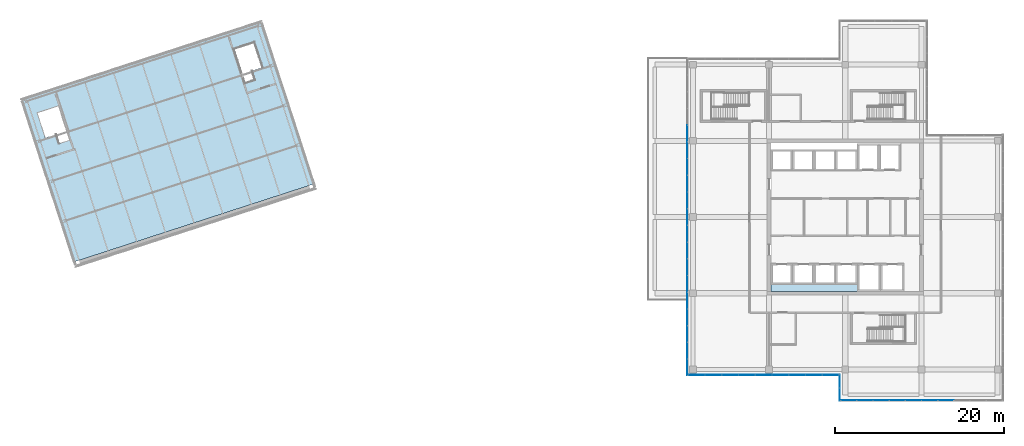
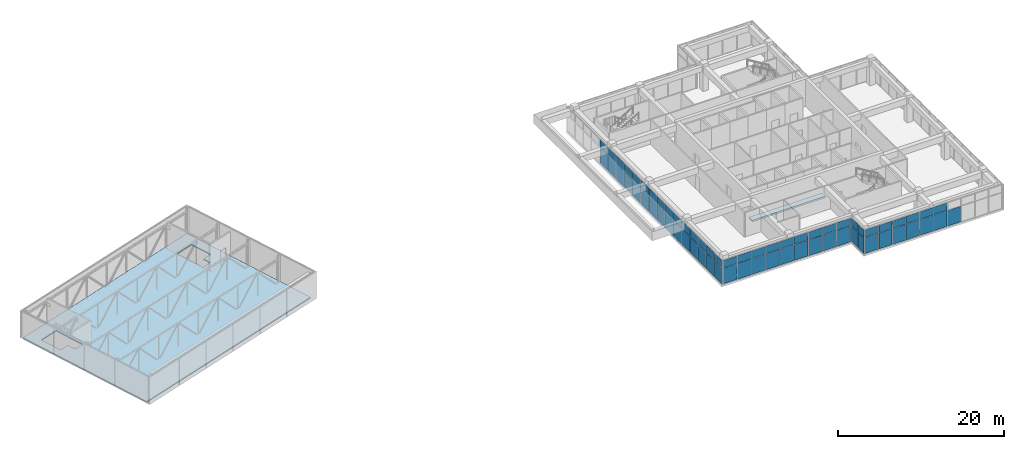
# One storey, part 39 of 52: 65 plates, 2 slabs, 4 elements without a shape of their own.
"""IFC4 building model written with IfcOpenShell, lengths in metres."""

from ifc_helpers import new_model, si_unit, direction, frame, origin, origin_2d, place, context, subcontext, project, spatial, polyline, rectangle, outline, extrude, material, layer, layer_set, type_object, element, aggregate, save


model = new_model("IFC4")

# Units and contexts
model_context = context("Model", 3, precision=1e-05, world=origin(), true_north=direction((0.0, 1.0)))
body_context = subcontext(model_context, "Body", "Model", "MODEL_VIEW")
ifc_project = project(units=[si_unit("LENGTHUNIT", "METRE"), si_unit("AREAUNIT", "SQUARE_METRE"), si_unit("VOLUMEUNIT", "CUBIC_METRE"), si_unit("PLANEANGLEUNIT", "RADIAN"), si_unit("MASSUNIT", "GRAM", prefix="KILO")], contexts=[model_context])

# Site, building, storey
site_placement = place(None, origin())
site = spatial("IfcSite", under=ifc_project, at=site_placement, CompositionType="ELEMENT")
building_placement = place(site_placement, origin())
building = spatial("IfcBuilding", under=site, at=building_placement, Name="Tuart Plaza Theatre", CompositionType="ELEMENT")
storey_placement = place(building_placement, frame((0.0, 0.0, 25.5)))
storey = spatial("IfcBuildingStorey", under=building, at=storey_placement, Name="L06", CompositionType="ELEMENT", Elevation=25.5)

# Curtain wall, plates
ifc_material_1 = material(Name="Aluminium and glass", Category="aluminium")
ifc_layer_1 = layer(ifc_material_1, 0.10009765625)
ifc_layer_set_1 = layer_set([ifc_layer_1], Name="CURTAIN WALL 2000 module")
curtain_wall_type = type_object("IfcCurtainWallType", Name="CURTAIN WALL 2000 module", PredefinedType="NOTDEFINED", material=ifc_layer_set_1)
curtain_wall_1_placement = place(storey_placement, origin())
curtain_wall_1 = element("IfcCurtainWall", 1, at=curtain_wall_1_placement, inside=storey, type_object=curtain_wall_type, Name="CW75", PredefinedType="NOTDEFINED")
ifc_material_2 = material(Name="Glass", Category="glass")
ifc_layer_2 = layer(ifc_material_2, 0.028076171875)
ifc_layer_set_2 = layer_set([ifc_layer_2], Name="CURTAIN PANEL double glazed 28")
plate_type_1 = type_object("IfcPlateType", Name="CURTAIN PANEL double glazed 28", PredefinedType="CURTAIN_PANEL", material=ifc_layer_set_2)
plate_1_placement = place(storey_placement, frame((131.35009765625, 54.637451171875, 0.0498046875), z_axis=(0.0, 0.0, 1.0), x_axis=(0.0, -1.0, 0.0)))
plate_1 = element("IfcPlate", 2, at=plate_1_placement, type_object=plate_type_1, Name="CW75 panel 1.1", PredefinedType="CURTAIN_PANEL", context=body_context, shape_type="SweptSolid", body=[
    extrude(rectangle(XDim=1.52490234375, YDim=0.028076171875, at=origin_2d()), origin(), (0.0, 0.0, 1.0), 2.324951171875),
])
plate_2_placement = place(storey_placement, frame((131.35009765625, 54.637451171875, 2.425048828125), z_axis=(0.0, 0.0, 1.0), x_axis=(0.0, -1.0, 0.0)))
plate_2 = element("IfcPlate", 3, at=plate_2_placement, type_object=plate_type_1, Name="CW75 panel 1.2", PredefinedType="CURTAIN_PANEL", context=body_context, shape_type="SweptSolid", body=[
    extrude(rectangle(XDim=1.52490234375, YDim=0.028076171875, at=origin_2d()), origin(), (0.0, 0.0, 1.0), 1.10498046875),
])
plate_3_placement = place(storey_placement, frame((131.35009765625, 53.0625, 0.0498046875), z_axis=(0.0, 0.0, 1.0), x_axis=(0.0, -1.0, 0.0)))
plate_3 = element("IfcPlate", 4, at=plate_3_placement, type_object=plate_type_1, Name="CW75 panel 2.1", PredefinedType="CURTAIN_PANEL", context=body_context, shape_type="SweptSolid", body=[
    extrude(rectangle(XDim=1.52490234375, YDim=0.028076171875, at=origin_2d()), origin(), (0.0, 0.0, 1.0), 2.324951171875),
])
plate_4_placement = place(storey_placement, frame((131.35009765625, 53.0625, 2.425048828125), z_axis=(0.0, 0.0, 1.0), x_axis=(0.0, -1.0, 0.0)))
plate_4 = element("IfcPlate", 5, at=plate_4_placement, type_object=plate_type_1, Name="CW75 panel 2.2", PredefinedType="CURTAIN_PANEL", context=body_context, shape_type="SweptSolid", body=[
    extrude(rectangle(XDim=1.52490234375, YDim=0.028076171875, at=origin_2d()), origin(), (0.0, 0.0, 1.0), 1.10498046875),
])
aggregate(curtain_wall_1, [plate_1, plate_2, plate_3, plate_4])

curtain_wall_2_placement = place(storey_placement, origin())
curtain_wall_2 = element("IfcCurtainWall", 6, at=curtain_wall_2_placement, inside=storey, type_object=curtain_wall_type, Name="CW76", PredefinedType="NOTDEFINED")
plate_5_placement = place(storey_placement, frame((132.41748046875, 52.35009765625, 0.0498046875), z_axis=(0.0, 0.0, 1.0), x_axis=(1.0, 0.0, 0.0)))
plate_5 = element("IfcPlate", 7, at=plate_5_placement, type_object=plate_type_1, Name="CW76 panel 1.1", PredefinedType="CURTAIN_PANEL", context=body_context, shape_type="SweptSolid", body=[
    extrude(rectangle(XDim=1.8349609375, YDim=0.028076171875, at=origin_2d()), origin(), (0.0, 0.0, 1.0), 2.324951171875),
])
plate_6_placement = place(storey_placement, frame((132.41748046875, 52.35009765625, 2.425048828125), z_axis=(0.0, 0.0, 1.0), x_axis=(1.0, 0.0, 0.0)))
plate_6 = element("IfcPlate", 8, at=plate_6_placement, type_object=plate_type_1, Name="CW76 panel 1.2", PredefinedType="CURTAIN_PANEL", context=body_context, shape_type="SweptSolid", body=[
    extrude(rectangle(XDim=1.8349609375, YDim=0.028076171875, at=origin_2d()), origin(), (0.0, 0.0, 1.0), 1.10498046875),
])
plate_7_placement = place(storey_placement, frame((134.31494140625, 52.35009765625, 0.0498046875), z_axis=(0.0, 0.0, 1.0), x_axis=(1.0, 0.0, 0.0)))
plate_7 = element("IfcPlate", 9, at=plate_7_placement, type_object=plate_type_1, Name="CW76 panel 2.1", PredefinedType="CURTAIN_PANEL", context=body_context, shape_type="SweptSolid", body=[
    extrude(rectangle(XDim=1.860107421875, YDim=0.028076171875, at=origin_2d()), origin(), (0.0, 0.0, 1.0), 2.324951171875),
])
plate_8_placement = place(storey_placement, frame((134.31494140625, 52.35009765625, 2.425048828125), z_axis=(0.0, 0.0, 1.0), x_axis=(1.0, 0.0, 0.0)))
plate_8 = element("IfcPlate", 10, at=plate_8_placement, type_object=plate_type_1, Name="CW76 panel 2.2", PredefinedType="CURTAIN_PANEL", context=body_context, shape_type="SweptSolid", body=[
    extrude(rectangle(XDim=1.860107421875, YDim=0.028076171875, at=origin_2d()), origin(), (0.0, 0.0, 1.0), 1.10498046875),
])
plate_9_placement = place(storey_placement, frame((138.135009765625, 52.35009765625, 0.0498046875), z_axis=(0.0, 0.0, 1.0), x_axis=(1.0, 0.0, 0.0)))
plate_9 = element("IfcPlate", 11, at=plate_9_placement, type_object=plate_type_1, Name="CW76 panel 4.1", PredefinedType="CURTAIN_PANEL", context=body_context, shape_type="SweptSolid", body=[
    extrude(rectangle(XDim=1.860107421875, YDim=0.028076171875, at=origin_2d()), origin(), (0.0, 0.0, 1.0), 2.324951171875),
])
plate_10_placement = place(storey_placement, frame((138.135009765625, 52.35009765625, 2.425048828125), z_axis=(0.0, 0.0, 1.0), x_axis=(1.0, 0.0, 0.0)))
plate_10 = element("IfcPlate", 12, at=plate_10_placement, type_object=plate_type_1, Name="CW76 panel 4.2", PredefinedType="CURTAIN_PANEL", context=body_context, shape_type="SweptSolid", body=[
    extrude(rectangle(XDim=1.860107421875, YDim=0.028076171875, at=origin_2d()), origin(), (0.0, 0.0, 1.0), 1.10498046875),
])
plate_11_placement = place(storey_placement, frame((140.044921875, 52.35009765625, 0.0498046875), z_axis=(0.0, 0.0, 1.0), x_axis=(1.0, 0.0, 0.0)))
plate_11 = element("IfcPlate", 13, at=plate_11_placement, type_object=plate_type_1, Name="CW76 panel 5.1", PredefinedType="CURTAIN_PANEL", context=body_context, shape_type="SweptSolid", body=[
    extrude(rectangle(XDim=1.860107421875, YDim=0.028076171875, at=origin_2d()), origin(), (0.0, 0.0, 1.0), 2.324951171875),
])
plate_12_placement = place(storey_placement, frame((140.044921875, 52.35009765625, 2.425048828125), z_axis=(0.0, 0.0, 1.0), x_axis=(1.0, 0.0, 0.0)))
plate_12 = element("IfcPlate", 14, at=plate_12_placement, type_object=plate_type_1, Name="CW76 panel 5.2", PredefinedType="CURTAIN_PANEL", context=body_context, shape_type="SweptSolid", body=[
    extrude(rectangle(XDim=1.860107421875, YDim=0.028076171875, at=origin_2d()), origin(), (0.0, 0.0, 1.0), 1.10498046875),
])
plate_13_placement = place(storey_placement, frame((141.955078125, 52.35009765625, 0.0498046875), z_axis=(0.0, 0.0, 1.0), x_axis=(1.0, 0.0, 0.0)))
plate_13 = element("IfcPlate", 15, at=plate_13_placement, type_object=plate_type_1, Name="CW76 panel 6.1", PredefinedType="CURTAIN_PANEL", context=body_context, shape_type="SweptSolid", body=[
    extrude(rectangle(XDim=1.860107421875, YDim=0.028076171875, at=origin_2d()), origin(), (0.0, 0.0, 1.0), 2.324951171875),
])
plate_14_placement = place(storey_placement, frame((141.955078125, 52.35009765625, 2.425048828125), z_axis=(0.0, 0.0, 1.0), x_axis=(1.0, 0.0, 0.0)))
plate_14 = element("IfcPlate", 16, at=plate_14_placement, type_object=plate_type_1, Name="CW76 panel 6.2", PredefinedType="CURTAIN_PANEL", context=body_context, shape_type="SweptSolid", body=[
    extrude(rectangle(XDim=1.860107421875, YDim=0.028076171875, at=origin_2d()), origin(), (0.0, 0.0, 1.0), 1.10498046875),
])
plate_15_placement = place(storey_placement, frame((143.864990234375, 52.35009765625, 0.0498046875), z_axis=(0.0, 0.0, 1.0), x_axis=(1.0, 0.0, 0.0)))
plate_15 = element("IfcPlate", 17, at=plate_15_placement, type_object=plate_type_1, Name="CW76 panel 7.1", PredefinedType="CURTAIN_PANEL", context=body_context, shape_type="SweptSolid", body=[
    extrude(rectangle(XDim=1.860107421875, YDim=0.028076171875, at=origin_2d()), origin(), (0.0, 0.0, 1.0), 2.324951171875),
])

curtain_wall_3_placement = place(storey_placement, origin())
curtain_wall_3 = element("IfcCurtainWall", 18, at=curtain_wall_3_placement, inside=storey, type_object=curtain_wall_type, Name="CW86", PredefinedType="NOTDEFINED")
plate_16_placement = place(storey_placement, frame((113.35009765625, 83.868408203125, 0.0498046875), z_axis=(0.0, 0.0, 1.0), x_axis=(0.0, -1.0, 0.0)))
plate_16 = element("IfcPlate", 19, at=plate_16_placement, type_object=plate_type_1, Name="CW86 panel 5.1", PredefinedType="CURTAIN_PANEL", context=body_context, shape_type="SweptSolid", body=[
    extrude(rectangle(XDim=1.923583984375, YDim=0.028076171875, at=origin_2d()), origin(), (0.0, 0.0, 1.0), 2.324951171875),
])
plate_17_placement = place(storey_placement, frame((113.35009765625, 83.868408203125, 2.425048828125), z_axis=(0.0, 0.0, 1.0), x_axis=(0.0, -1.0, 0.0)))
plate_17 = element("IfcPlate", 20, at=plate_17_placement, type_object=plate_type_1, Name="CW86 panel 5.2", PredefinedType="CURTAIN_PANEL", context=body_context, shape_type="SweptSolid", body=[
    extrude(rectangle(XDim=1.923583984375, YDim=0.028076171875, at=origin_2d()), origin(), (0.0, 0.0, 1.0), 1.10498046875),
])
plate_18_placement = place(storey_placement, frame((113.35009765625, 81.894775390625, 0.0498046875), z_axis=(0.0, 0.0, 1.0), x_axis=(0.0, -1.0, 0.0)))
plate_18 = element("IfcPlate", 21, at=plate_18_placement, type_object=plate_type_1, Name="CW86 panel 6.1", PredefinedType="CURTAIN_PANEL", context=body_context, shape_type="SweptSolid", body=[
    extrude(rectangle(XDim=1.923583984375, YDim=0.028076171875, at=origin_2d()), origin(), (0.0, 0.0, 1.0), 2.324951171875),
])
plate_19_placement = place(storey_placement, frame((113.35009765625, 81.894775390625, 2.425048828125), z_axis=(0.0, 0.0, 1.0), x_axis=(0.0, -1.0, 0.0)))
plate_19 = element("IfcPlate", 22, at=plate_19_placement, type_object=plate_type_1, Name="CW86 panel 6.2", PredefinedType="CURTAIN_PANEL", context=body_context, shape_type="SweptSolid", body=[
    extrude(rectangle(XDim=1.923583984375, YDim=0.028076171875, at=origin_2d()), origin(), (0.0, 0.0, 1.0), 1.10498046875),
])
plate_20_placement = place(storey_placement, frame((113.35009765625, 79.921142578125, 0.0498046875), z_axis=(0.0, 0.0, 1.0), x_axis=(0.0, -1.0, 0.0)))
plate_20 = element("IfcPlate", 23, at=plate_20_placement, type_object=plate_type_1, Name="CW86 panel 7.1", PredefinedType="CURTAIN_PANEL", context=body_context, shape_type="SweptSolid", body=[
    extrude(rectangle(XDim=1.923583984375, YDim=0.028076171875, at=origin_2d()), origin(), (0.0, 0.0, 1.0), 2.324951171875),
])
plate_21_placement = place(storey_placement, frame((113.35009765625, 79.921142578125, 2.425048828125), z_axis=(0.0, 0.0, 1.0), x_axis=(0.0, -1.0, 0.0)))
plate_21 = element("IfcPlate", 24, at=plate_21_placement, type_object=plate_type_1, Name="CW86 panel 7.2", PredefinedType="CURTAIN_PANEL", context=body_context, shape_type="SweptSolid", body=[
    extrude(rectangle(XDim=1.923583984375, YDim=0.028076171875, at=origin_2d()), origin(), (0.0, 0.0, 1.0), 1.10498046875),
])
plate_22_placement = place(storey_placement, frame((113.35009765625, 77.947265625, 0.0498046875), z_axis=(0.0, 0.0, 1.0), x_axis=(0.0, -1.0, 0.0)))
plate_22 = element("IfcPlate", 25, at=plate_22_placement, type_object=plate_type_1, Name="CW86 panel 8.1", PredefinedType="CURTAIN_PANEL", context=body_context, shape_type="SweptSolid", body=[
    extrude(rectangle(XDim=1.923583984375, YDim=0.028076171875, at=origin_2d()), origin(), (0.0, 0.0, 1.0), 2.324951171875),
])
plate_23_placement = place(storey_placement, frame((113.35009765625, 77.947265625, 2.425048828125), z_axis=(0.0, 0.0, 1.0), x_axis=(0.0, -1.0, 0.0)))
plate_23 = element("IfcPlate", 26, at=plate_23_placement, type_object=plate_type_1, Name="CW86 panel 8.2", PredefinedType="CURTAIN_PANEL", context=body_context, shape_type="SweptSolid", body=[
    extrude(rectangle(XDim=1.923583984375, YDim=0.028076171875, at=origin_2d()), origin(), (0.0, 0.0, 1.0), 1.10498046875),
])
plate_24_placement = place(storey_placement, frame((113.35009765625, 75.9736328125, 0.0498046875), z_axis=(0.0, 0.0, 1.0), x_axis=(0.0, -1.0, 0.0)))
plate_24 = element("IfcPlate", 27, at=plate_24_placement, type_object=plate_type_1, Name="CW86 panel 9.1", PredefinedType="CURTAIN_PANEL", context=body_context, shape_type="SweptSolid", body=[
    extrude(rectangle(XDim=1.923583984375, YDim=0.028076171875, at=origin_2d()), origin(), (0.0, 0.0, 1.0), 2.324951171875),
])
plate_25_placement = place(storey_placement, frame((113.35009765625, 75.9736328125, 2.425048828125), z_axis=(0.0, 0.0, 1.0), x_axis=(0.0, -1.0, 0.0)))
plate_25 = element("IfcPlate", 28, at=plate_25_placement, type_object=plate_type_1, Name="CW86 panel 9.2", PredefinedType="CURTAIN_PANEL", context=body_context, shape_type="SweptSolid", body=[
    extrude(rectangle(XDim=1.923583984375, YDim=0.028076171875, at=origin_2d()), origin(), (0.0, 0.0, 1.0), 1.10498046875),
])
plate_26_placement = place(storey_placement, frame((113.35009765625, 74.0, 0.0498046875), z_axis=(0.0, 0.0, 1.0), x_axis=(0.0, -1.0, 0.0)))
plate_26 = element("IfcPlate", 29, at=plate_26_placement, type_object=plate_type_1, Name="CW86 panel 10.1", PredefinedType="CURTAIN_PANEL", context=body_context, shape_type="SweptSolid", body=[
    extrude(rectangle(XDim=1.923583984375, YDim=0.028076171875, at=origin_2d()), origin(), (0.0, 0.0, 1.0), 2.324951171875),
])
plate_27_placement = place(storey_placement, frame((113.35009765625, 74.0, 2.425048828125), z_axis=(0.0, 0.0, 1.0), x_axis=(0.0, -1.0, 0.0)))
plate_27 = element("IfcPlate", 30, at=plate_27_placement, type_object=plate_type_1, Name="CW86 panel 10.2", PredefinedType="CURTAIN_PANEL", context=body_context, shape_type="SweptSolid", body=[
    extrude(rectangle(XDim=1.923583984375, YDim=0.028076171875, at=origin_2d()), origin(), (0.0, 0.0, 1.0), 1.10498046875),
])
plate_28_placement = place(storey_placement, frame((113.35009765625, 72.0263671875, 0.0498046875), z_axis=(0.0, 0.0, 1.0), x_axis=(0.0, -1.0, 0.0)))
plate_28 = element("IfcPlate", 31, at=plate_28_placement, type_object=plate_type_1, Name="CW86 panel 11.1", PredefinedType="CURTAIN_PANEL", context=body_context, shape_type="SweptSolid", body=[
    extrude(rectangle(XDim=1.923583984375, YDim=0.028076171875, at=origin_2d()), origin(), (0.0, 0.0, 1.0), 2.324951171875),
])
plate_29_placement = place(storey_placement, frame((113.35009765625, 72.0263671875, 2.425048828125), z_axis=(0.0, 0.0, 1.0), x_axis=(0.0, -1.0, 0.0)))
plate_29 = element("IfcPlate", 32, at=plate_29_placement, type_object=plate_type_1, Name="CW86 panel 11.2", PredefinedType="CURTAIN_PANEL", context=body_context, shape_type="SweptSolid", body=[
    extrude(rectangle(XDim=1.923583984375, YDim=0.028076171875, at=origin_2d()), origin(), (0.0, 0.0, 1.0), 1.10498046875),
])
plate_30_placement = place(storey_placement, frame((113.35009765625, 70.052734375, 0.0498046875), z_axis=(0.0, 0.0, 1.0), x_axis=(0.0, -1.0, 0.0)))
plate_30 = element("IfcPlate", 33, at=plate_30_placement, type_object=plate_type_1, Name="CW86 panel 12.1", PredefinedType="CURTAIN_PANEL", context=body_context, shape_type="SweptSolid", body=[
    extrude(rectangle(XDim=1.923583984375, YDim=0.028076171875, at=origin_2d()), origin(), (0.0, 0.0, 1.0), 2.324951171875),
])
plate_31_placement = place(storey_placement, frame((113.35009765625, 70.052734375, 2.425048828125), z_axis=(0.0, 0.0, 1.0), x_axis=(0.0, -1.0, 0.0)))
plate_31 = element("IfcPlate", 34, at=plate_31_placement, type_object=plate_type_1, Name="CW86 panel 12.2", PredefinedType="CURTAIN_PANEL", context=body_context, shape_type="SweptSolid", body=[
    extrude(rectangle(XDim=1.923583984375, YDim=0.028076171875, at=origin_2d()), origin(), (0.0, 0.0, 1.0), 1.10498046875),
])
plate_32_placement = place(storey_placement, frame((113.35009765625, 68.078857421875, 0.0498046875), z_axis=(0.0, 0.0, 1.0), x_axis=(0.0, -1.0, 0.0)))
plate_32 = element("IfcPlate", 35, at=plate_32_placement, type_object=plate_type_1, Name="CW86 panel 13.1", PredefinedType="CURTAIN_PANEL", context=body_context, shape_type="SweptSolid", body=[
    extrude(rectangle(XDim=1.923583984375, YDim=0.028076171875, at=origin_2d()), origin(), (0.0, 0.0, 1.0), 2.324951171875),
])
plate_33_placement = place(storey_placement, frame((113.35009765625, 68.078857421875, 2.425048828125), z_axis=(0.0, 0.0, 1.0), x_axis=(0.0, -1.0, 0.0)))
plate_33 = element("IfcPlate", 36, at=plate_33_placement, type_object=plate_type_1, Name="CW86 panel 13.2", PredefinedType="CURTAIN_PANEL", context=body_context, shape_type="SweptSolid", body=[
    extrude(rectangle(XDim=1.923583984375, YDim=0.028076171875, at=origin_2d()), origin(), (0.0, 0.0, 1.0), 1.10498046875),
])
plate_34_placement = place(storey_placement, frame((113.35009765625, 66.105224609375, 0.0498046875), z_axis=(0.0, 0.0, 1.0), x_axis=(0.0, -1.0, 0.0)))
plate_34 = element("IfcPlate", 37, at=plate_34_placement, type_object=plate_type_1, Name="CW86 panel 14.1", PredefinedType="CURTAIN_PANEL", context=body_context, shape_type="SweptSolid", body=[
    extrude(rectangle(XDim=1.923583984375, YDim=0.028076171875, at=origin_2d()), origin(), (0.0, 0.0, 1.0), 2.324951171875),
])
plate_35_placement = place(storey_placement, frame((113.35009765625, 66.105224609375, 2.425048828125), z_axis=(0.0, 0.0, 1.0), x_axis=(0.0, -1.0, 0.0)))
plate_35 = element("IfcPlate", 38, at=plate_35_placement, type_object=plate_type_1, Name="CW86 panel 14.2", PredefinedType="CURTAIN_PANEL", context=body_context, shape_type="SweptSolid", body=[
    extrude(rectangle(XDim=1.923583984375, YDim=0.028076171875, at=origin_2d()), origin(), (0.0, 0.0, 1.0), 1.10498046875),
])
plate_36_placement = place(storey_placement, frame((113.35009765625, 64.131591796875, 0.0498046875), z_axis=(0.0, 0.0, 1.0), x_axis=(0.0, -1.0, 0.0)))
plate_36 = element("IfcPlate", 39, at=plate_36_placement, type_object=plate_type_1, Name="CW86 panel 15.1", PredefinedType="CURTAIN_PANEL", context=body_context, shape_type="SweptSolid", body=[
    extrude(rectangle(XDim=1.923583984375, YDim=0.028076171875, at=origin_2d()), origin(), (0.0, 0.0, 1.0), 2.324951171875),
])
plate_37_placement = place(storey_placement, frame((113.35009765625, 64.131591796875, 2.425048828125), z_axis=(0.0, 0.0, 1.0), x_axis=(0.0, -1.0, 0.0)))
plate_37 = element("IfcPlate", 40, at=plate_37_placement, type_object=plate_type_1, Name="CW86 panel 15.2", PredefinedType="CURTAIN_PANEL", context=body_context, shape_type="SweptSolid", body=[
    extrude(rectangle(XDim=1.923583984375, YDim=0.028076171875, at=origin_2d()), origin(), (0.0, 0.0, 1.0), 1.10498046875),
])
plate_38_placement = place(storey_placement, frame((113.35009765625, 62.157958984375, 0.0498046875), z_axis=(0.0, 0.0, 1.0), x_axis=(0.0, -1.0, 0.0)))
plate_38 = element("IfcPlate", 41, at=plate_38_placement, type_object=plate_type_1, Name="CW86 panel 16.1", PredefinedType="CURTAIN_PANEL", context=body_context, shape_type="SweptSolid", body=[
    extrude(rectangle(XDim=1.923583984375, YDim=0.028076171875, at=origin_2d()), origin(), (0.0, 0.0, 1.0), 2.324951171875),
])
plate_39_placement = place(storey_placement, frame((113.35009765625, 62.157958984375, 2.425048828125), z_axis=(0.0, 0.0, 1.0), x_axis=(0.0, -1.0, 0.0)))
plate_39 = element("IfcPlate", 42, at=plate_39_placement, type_object=plate_type_1, Name="CW86 panel 16.2", PredefinedType="CURTAIN_PANEL", context=body_context, shape_type="SweptSolid", body=[
    extrude(rectangle(XDim=1.923583984375, YDim=0.028076171875, at=origin_2d()), origin(), (0.0, 0.0, 1.0), 1.10498046875),
])
plate_40_placement = place(storey_placement, frame((113.35009765625, 60.184326171875, 0.0498046875), z_axis=(0.0, 0.0, 1.0), x_axis=(0.0, -1.0, 0.0)))
plate_40 = element("IfcPlate", 43, at=plate_40_placement, type_object=plate_type_1, Name="CW86 panel 17.1", PredefinedType="CURTAIN_PANEL", context=body_context, shape_type="SweptSolid", body=[
    extrude(rectangle(XDim=1.923583984375, YDim=0.028076171875, at=origin_2d()), origin(), (0.0, 0.0, 1.0), 2.324951171875),
])
plate_41_placement = place(storey_placement, frame((113.35009765625, 60.184326171875, 2.425048828125), z_axis=(0.0, 0.0, 1.0), x_axis=(0.0, -1.0, 0.0)))
plate_41 = element("IfcPlate", 44, at=plate_41_placement, type_object=plate_type_1, Name="CW86 panel 17.2", PredefinedType="CURTAIN_PANEL", context=body_context, shape_type="SweptSolid", body=[
    extrude(rectangle(XDim=1.923583984375, YDim=0.028076171875, at=origin_2d()), origin(), (0.0, 0.0, 1.0), 1.10498046875),
])
plate_42_placement = place(storey_placement, frame((113.35009765625, 58.21044921875, 0.0498046875), z_axis=(0.0, 0.0, 1.0), x_axis=(0.0, -1.0, 0.0)))
plate_42 = element("IfcPlate", 45, at=plate_42_placement, type_object=plate_type_1, Name="CW86 panel 18.1", PredefinedType="CURTAIN_PANEL", context=body_context, shape_type="SweptSolid", body=[
    extrude(rectangle(XDim=1.923583984375, YDim=0.028076171875, at=origin_2d()), origin(), (0.0, 0.0, 1.0), 2.324951171875),
])
plate_43_placement = place(storey_placement, frame((113.35009765625, 58.21044921875, 2.425048828125), z_axis=(0.0, 0.0, 1.0), x_axis=(0.0, -1.0, 0.0)))
plate_43 = element("IfcPlate", 46, at=plate_43_placement, type_object=plate_type_1, Name="CW86 panel 18.2", PredefinedType="CURTAIN_PANEL", context=body_context, shape_type="SweptSolid", body=[
    extrude(rectangle(XDim=1.923583984375, YDim=0.028076171875, at=origin_2d()), origin(), (0.0, 0.0, 1.0), 1.10498046875),
])
plate_44_placement = place(storey_placement, frame((113.35009765625, 56.249267578125, 0.0498046875), z_axis=(0.0, 0.0, 1.0), x_axis=(0.0, -1.0, 0.0)))
plate_44 = element("IfcPlate", 47, at=plate_44_placement, type_object=plate_type_1, Name="CW86 panel 19.1", PredefinedType="CURTAIN_PANEL", context=body_context, shape_type="SweptSolid", body=[
    extrude(rectangle(XDim=1.898681640625, YDim=0.028076171875, at=origin_2d()), origin(), (0.0, 0.0, 1.0), 2.324951171875),
])
plate_45_placement = place(storey_placement, frame((113.35009765625, 56.249267578125, 2.425048828125), z_axis=(0.0, 0.0, 1.0), x_axis=(0.0, -1.0, 0.0)))
plate_45 = element("IfcPlate", 48, at=plate_45_placement, type_object=plate_type_1, Name="CW86 panel 19.2", PredefinedType="CURTAIN_PANEL", context=body_context, shape_type="SweptSolid", body=[
    extrude(rectangle(XDim=1.898681640625, YDim=0.028076171875, at=origin_2d()), origin(), (0.0, 0.0, 1.0), 1.10498046875),
])
aggregate(curtain_wall_3, [plate_16, plate_17, plate_18, plate_19, plate_20, plate_21, plate_22, plate_23, plate_24, plate_25, plate_26, plate_27, plate_28, plate_29, plate_30, plate_31, plate_32, plate_33, plate_34, plate_35, plate_36, plate_37, plate_38, plate_39, plate_40, plate_41, plate_42, plate_43, plate_44, plate_45])

curtain_wall_4_placement = place(storey_placement, origin())
curtain_wall_4 = element("IfcCurtainWall", 49, at=curtain_wall_4_placement, inside=storey, type_object=curtain_wall_type, Name="CW87", PredefinedType="NOTDEFINED")
plate_46_placement = place(storey_placement, frame((114.451416015625, 55.35009765625, 0.0498046875), z_axis=(0.0, 0.0, 1.0), x_axis=(1.0, 0.0, 0.0)))
plate_46 = element("IfcPlate", 50, at=plate_46_placement, type_object=plate_type_1, Name="CW87 panel 1.1", PredefinedType="CURTAIN_PANEL", context=body_context, shape_type="SweptSolid", body=[
    extrude(rectangle(XDim=1.90283203125, YDim=0.028076171875, at=origin_2d()), origin(), (0.0, 0.0, 1.0), 2.324951171875),
])
plate_47_placement = place(storey_placement, frame((114.451416015625, 55.35009765625, 2.425048828125), z_axis=(0.0, 0.0, 1.0), x_axis=(1.0, 0.0, 0.0)))
plate_47 = element("IfcPlate", 51, at=plate_47_placement, type_object=plate_type_1, Name="CW87 panel 1.2", PredefinedType="CURTAIN_PANEL", context=body_context, shape_type="SweptSolid", body=[
    extrude(rectangle(XDim=1.90283203125, YDim=0.028076171875, at=origin_2d()), origin(), (0.0, 0.0, 1.0), 1.10498046875),
])
plate_48_placement = place(storey_placement, frame((116.416748046875, 55.35009765625, 0.0498046875), z_axis=(0.0, 0.0, 1.0), x_axis=(1.0, 0.0, 0.0)))
plate_48 = element("IfcPlate", 52, at=plate_48_placement, type_object=plate_type_1, Name="CW87 panel 2.1", PredefinedType="CURTAIN_PANEL", context=body_context, shape_type="SweptSolid", body=[
    extrude(rectangle(XDim=1.927734375, YDim=0.028076171875, at=origin_2d()), origin(), (0.0, 0.0, 1.0), 2.324951171875),
])
plate_49_placement = place(storey_placement, frame((116.416748046875, 55.35009765625, 2.425048828125), z_axis=(0.0, 0.0, 1.0), x_axis=(1.0, 0.0, 0.0)))
plate_49 = element("IfcPlate", 53, at=plate_49_placement, type_object=plate_type_1, Name="CW87 panel 2.2", PredefinedType="CURTAIN_PANEL", context=body_context, shape_type="SweptSolid", body=[
    extrude(rectangle(XDim=1.927734375, YDim=0.028076171875, at=origin_2d()), origin(), (0.0, 0.0, 1.0), 1.10498046875),
])
plate_50_placement = place(storey_placement, frame((118.39453125, 55.35009765625, 0.0498046875), z_axis=(0.0, 0.0, 1.0), x_axis=(1.0, 0.0, 0.0)))
plate_50 = element("IfcPlate", 54, at=plate_50_placement, type_object=plate_type_1, Name="CW87 panel 3.1", PredefinedType="CURTAIN_PANEL", context=body_context, shape_type="SweptSolid", body=[
    extrude(rectangle(XDim=1.927734375, YDim=0.028076171875, at=origin_2d()), origin(), (0.0, 0.0, 1.0), 2.324951171875),
])
plate_51_placement = place(storey_placement, frame((118.39453125, 55.35009765625, 2.425048828125), z_axis=(0.0, 0.0, 1.0), x_axis=(1.0, 0.0, 0.0)))
plate_51 = element("IfcPlate", 55, at=plate_51_placement, type_object=plate_type_1, Name="CW87 panel 3.2", PredefinedType="CURTAIN_PANEL", context=body_context, shape_type="SweptSolid", body=[
    extrude(rectangle(XDim=1.927734375, YDim=0.028076171875, at=origin_2d()), origin(), (0.0, 0.0, 1.0), 1.10498046875),
])
plate_52_placement = place(storey_placement, frame((120.372314453125, 55.35009765625, 0.0498046875), z_axis=(0.0, 0.0, 1.0), x_axis=(1.0, 0.0, 0.0)))
plate_52 = element("IfcPlate", 56, at=plate_52_placement, type_object=plate_type_1, Name="CW87 panel 4.1", PredefinedType="CURTAIN_PANEL", context=body_context, shape_type="SweptSolid", body=[
    extrude(rectangle(XDim=1.927734375, YDim=0.028076171875, at=origin_2d()), origin(), (0.0, 0.0, 1.0), 2.324951171875),
])
plate_53_placement = place(storey_placement, frame((120.372314453125, 55.35009765625, 2.425048828125), z_axis=(0.0, 0.0, 1.0), x_axis=(1.0, 0.0, 0.0)))
plate_53 = element("IfcPlate", 57, at=plate_53_placement, type_object=plate_type_1, Name="CW87 panel 4.2", PredefinedType="CURTAIN_PANEL", context=body_context, shape_type="SweptSolid", body=[
    extrude(rectangle(XDim=1.927734375, YDim=0.028076171875, at=origin_2d()), origin(), (0.0, 0.0, 1.0), 1.10498046875),
])
plate_54_placement = place(storey_placement, frame((122.35009765625, 55.35009765625, 0.0498046875), z_axis=(0.0, 0.0, 1.0), x_axis=(1.0, 0.0, 0.0)))
plate_54 = element("IfcPlate", 58, at=plate_54_placement, type_object=plate_type_1, Name="CW87 panel 5.1", PredefinedType="CURTAIN_PANEL", context=body_context, shape_type="SweptSolid", body=[
    extrude(rectangle(XDim=1.927734375, YDim=0.028076171875, at=origin_2d()), origin(), (0.0, 0.0, 1.0), 2.324951171875),
])
plate_55_placement = place(storey_placement, frame((122.35009765625, 55.35009765625, 2.425048828125), z_axis=(0.0, 0.0, 1.0), x_axis=(1.0, 0.0, 0.0)))
plate_55 = element("IfcPlate", 59, at=plate_55_placement, type_object=plate_type_1, Name="CW87 panel 5.2", PredefinedType="CURTAIN_PANEL", context=body_context, shape_type="SweptSolid", body=[
    extrude(rectangle(XDim=1.927734375, YDim=0.028076171875, at=origin_2d()), origin(), (0.0, 0.0, 1.0), 1.10498046875),
])
plate_56_placement = place(storey_placement, frame((124.327880859375, 55.35009765625, 0.0498046875), z_axis=(0.0, 0.0, 1.0), x_axis=(1.0, 0.0, 0.0)))
plate_56 = element("IfcPlate", 60, at=plate_56_placement, type_object=plate_type_1, Name="CW87 panel 6.1", PredefinedType="CURTAIN_PANEL", context=body_context, shape_type="SweptSolid", body=[
    extrude(rectangle(XDim=1.927734375, YDim=0.028076171875, at=origin_2d()), origin(), (0.0, 0.0, 1.0), 2.324951171875),
])
plate_57_placement = place(storey_placement, frame((124.327880859375, 55.35009765625, 2.425048828125), z_axis=(0.0, 0.0, 1.0), x_axis=(1.0, 0.0, 0.0)))
plate_57 = element("IfcPlate", 61, at=plate_57_placement, type_object=plate_type_1, Name="CW87 panel 6.2", PredefinedType="CURTAIN_PANEL", context=body_context, shape_type="SweptSolid", body=[
    extrude(rectangle(XDim=1.927734375, YDim=0.028076171875, at=origin_2d()), origin(), (0.0, 0.0, 1.0), 1.10498046875),
])
plate_58_placement = place(storey_placement, frame((126.3056640625, 55.35009765625, 0.0498046875), z_axis=(0.0, 0.0, 1.0), x_axis=(1.0, 0.0, 0.0)))
plate_58 = element("IfcPlate", 62, at=plate_58_placement, type_object=plate_type_1, Name="CW87 panel 7.1", PredefinedType="CURTAIN_PANEL", context=body_context, shape_type="SweptSolid", body=[
    extrude(rectangle(XDim=1.927734375, YDim=0.028076171875, at=origin_2d()), origin(), (0.0, 0.0, 1.0), 2.324951171875),
])
plate_59_placement = place(storey_placement, frame((126.3056640625, 55.35009765625, 2.425048828125), z_axis=(0.0, 0.0, 1.0), x_axis=(1.0, 0.0, 0.0)))
plate_59 = element("IfcPlate", 63, at=plate_59_placement, type_object=plate_type_1, Name="CW87 panel 7.2", PredefinedType="CURTAIN_PANEL", context=body_context, shape_type="SweptSolid", body=[
    extrude(rectangle(XDim=1.927734375, YDim=0.028076171875, at=origin_2d()), origin(), (0.0, 0.0, 1.0), 1.10498046875),
])
plate_60_placement = place(storey_placement, frame((128.283447265625, 55.35009765625, 0.0498046875), z_axis=(0.0, 0.0, 1.0), x_axis=(1.0, 0.0, 0.0)))
plate_60 = element("IfcPlate", 64, at=plate_60_placement, type_object=plate_type_1, Name="CW87 panel 8.1", PredefinedType="CURTAIN_PANEL", context=body_context, shape_type="SweptSolid", body=[
    extrude(rectangle(XDim=1.927734375, YDim=0.028076171875, at=origin_2d()), origin(), (0.0, 0.0, 1.0), 2.324951171875),
])
plate_61_placement = place(storey_placement, frame((128.283447265625, 55.35009765625, 2.425048828125), z_axis=(0.0, 0.0, 1.0), x_axis=(1.0, 0.0, 0.0)))
plate_61 = element("IfcPlate", 65, at=plate_61_placement, type_object=plate_type_1, Name="CW87 panel 8.2", PredefinedType="CURTAIN_PANEL", context=body_context, shape_type="SweptSolid", body=[
    extrude(rectangle(XDim=1.927734375, YDim=0.028076171875, at=origin_2d()), origin(), (0.0, 0.0, 1.0), 1.10498046875),
])
plate_62_placement = place(storey_placement, frame((130.24853515625, 55.35009765625, 0.0498046875), z_axis=(0.0, 0.0, 1.0), x_axis=(1.0, 0.0, 0.0)))
plate_62 = element("IfcPlate", 66, at=plate_62_placement, type_object=plate_type_1, Name="CW87 panel 9.1", PredefinedType="CURTAIN_PANEL", context=body_context, shape_type="SweptSolid", body=[
    extrude(rectangle(XDim=1.90283203125, YDim=0.028076171875, at=origin_2d()), origin(), (0.0, 0.0, 1.0), 2.324951171875),
])
plate_63_placement = place(storey_placement, frame((130.24853515625, 55.35009765625, 2.425048828125), z_axis=(0.0, 0.0, 1.0), x_axis=(1.0, 0.0, 0.0)))
plate_63 = element("IfcPlate", 67, at=plate_63_placement, type_object=plate_type_1, Name="CW87 panel 9.2", PredefinedType="CURTAIN_PANEL", context=body_context, shape_type="SweptSolid", body=[
    extrude(rectangle(XDim=1.90283203125, YDim=0.028076171875, at=origin_2d()), origin(), (0.0, 0.0, 1.0), 1.10498046875),
])
aggregate(curtain_wall_4, [plate_46, plate_47, plate_48, plate_49, plate_50, plate_51, plate_52, plate_53, plate_54, plate_55, plate_56, plate_57, plate_58, plate_59, plate_60, plate_61, plate_62, plate_63])

# Plate
ifc_material_3 = material(Name="Zinc")
ifc_layer_3 = layer(ifc_material_3, 0.028076171875)
ifc_layer_set_3 = layer_set([ifc_layer_3], Name="CURTAIN PANEL zinc 28")
plate_type_2 = type_object("IfcPlateType", Name="CURTAIN PANEL zinc 28", PredefinedType="CURTAIN_PANEL", material=ifc_layer_set_3)
plate_64_placement = place(storey_placement, frame((136.22509765625, 52.35009765625, 0.0498046875), z_axis=(0.0, 0.0, 1.0), x_axis=(1.0, 0.0, 0.0)))
plate_64 = element("IfcPlate", 68, at=plate_64_placement, type_object=plate_type_2, Name="CW76 zinc panel 3.1", PredefinedType="CURTAIN_PANEL", context=body_context, shape_type="SweptSolid", body=[
    extrude(rectangle(XDim=1.860107421875, YDim=0.028076171875, at=origin_2d()), origin(), (0.0, 0.0, 1.0), 2.324951171875),
])

plate_65_placement = place(storey_placement, frame((136.22509765625, 52.35009765625, 2.425048828125), z_axis=(0.0, 0.0, 1.0), x_axis=(1.0, 0.0, 0.0)))
plate_65 = element("IfcPlate", 69, at=plate_65_placement, type_object=plate_type_2, Name="CW76 zinc panel 3.2", PredefinedType="CURTAIN_PANEL", context=body_context, shape_type="SweptSolid", body=[
    extrude(rectangle(XDim=1.860107421875, YDim=0.028076171875, at=origin_2d()), origin(), (0.0, 0.0, 1.0), 1.10498046875),
])

aggregate(curtain_wall_2, [plate_5, plate_6, plate_7, plate_8, plate_64, plate_65, plate_9, plate_10, plate_11, plate_12, plate_13, plate_14, plate_15])

# Slabs
ifc_material_4 = material(Name="Concrete N40 (40 MPa)", Category="concrete")
ifc_layer_4 = layer(ifc_material_4, 0.14990234375)
ifc_layer_set_4 = layer_set([ifc_layer_4], Name="SLAB Floor 150 Concrete N40 (40 MPa)")
slab_type_1 = type_object("IfcSlabType", Name="SLAB Floor 150 Concrete N40 (40 MPa)", PredefinedType="FLOOR", material=ifc_layer_set_4)
slab_1_placement = place(storey_placement, frame((0.0, 0.0, -0.14990234375)))
element("IfcSlab", 70, at=slab_1_placement, inside=storey, type_object=slab_type_1, Name="S62", PredefinedType="FLOOR", context=body_context, shape_type="SweptSolid", body=[
    extrude(outline(polyline([(34.839599609375, 87.817626953125), (41.038330078125, 68.739501953125), (69.113525390625, 77.861572265625), (62.914794921875, 96.93994140625), (34.839599609375, 87.817626953125)]), holes=[polyline([(59.751220703125, 93.861572265625), (61.07373046875, 89.791015625), (62.27685546875, 90.181884765625), (61.91845703125, 91.28515625), (63.178466796875, 91.694580078125), (62.21435546875, 94.661865234375), (59.751220703125, 93.861572265625)]), polyline([(39.46240234375, 85.870849609375), (39.476806640625, 85.87548828125), (39.065673828125, 87.140380859375), (36.531005859375, 86.31689453125), (37.4951171875, 83.349609375), (38.75537109375, 83.759033203125), (39.114013671875, 82.65576171875), (40.3740234375, 83.065185546875), (39.46240234375, 85.870849609375)])]), origin(), (0.0, 0.0, 1.0), 0.14990234375),
])
ifc_material_5 = material(Name="Concrete N40 (40 MPa)", Category="concrete")
ifc_layer_5 = layer(ifc_material_5, 0.25)
ifc_layer_set_5 = layer_set([ifc_layer_5], Name="SLAB Floor 250 Concrete N40 (40 MPa)")
slab_type_2 = type_object("IfcSlabType", Name="SLAB Floor 250 Concrete N40 (40 MPa)", PredefinedType="FLOOR", material=ifc_layer_set_5)
slab_2_placement = place(storey_placement, frame((0.0, 0.0, -0.25)))
element("IfcSlab", 71, at=slab_2_placement, inside=storey, type_object=slab_type_2, Name="S87", PredefinedType="FLOOR", context=body_context, shape_type="SweptSolid", body=[
    extrude(outline(polyline([(123.22509765625, 66.02490234375), (123.22509765625, 65.22509765625), (133.425048828125, 65.22509765625), (133.425048828125, 66.02490234375), (123.22509765625, 66.02490234375)])), origin(), (0.0, 0.0, 1.0), 0.25),
])

save(model, "model.ifc")
